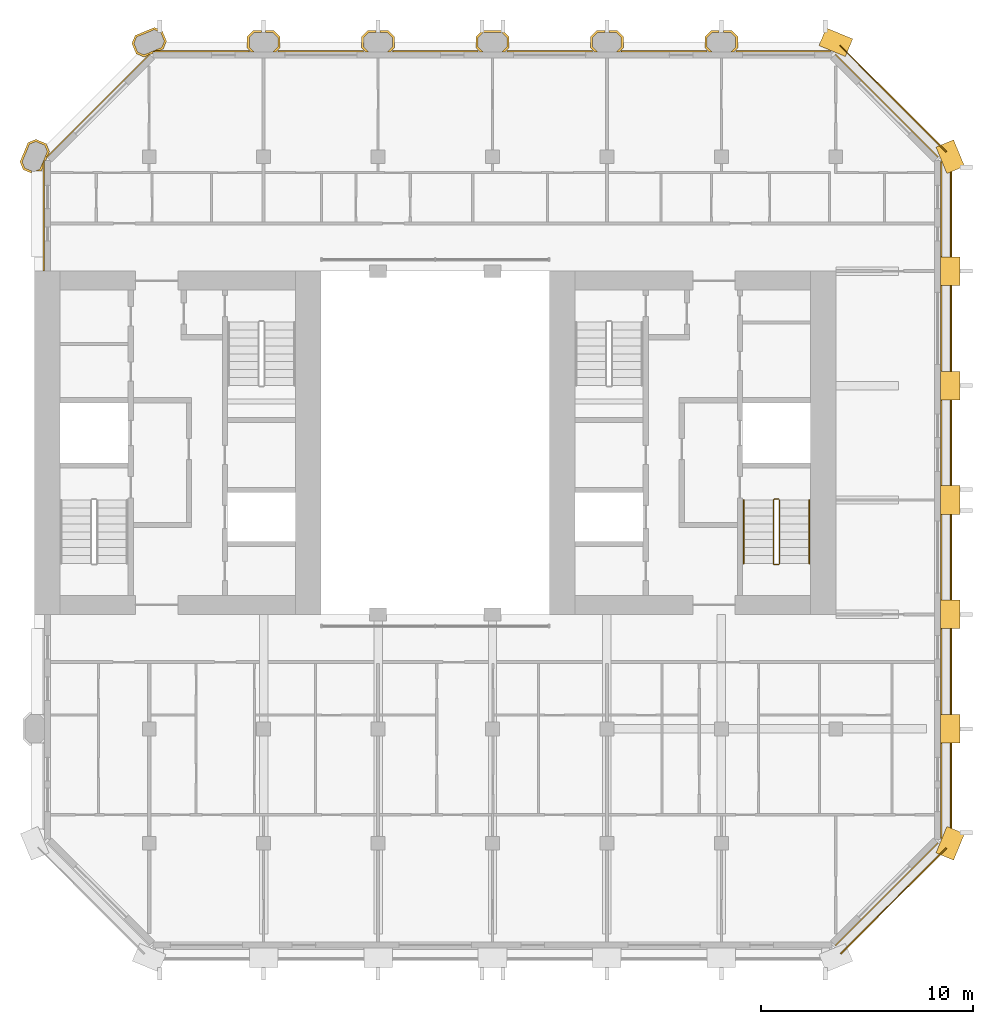
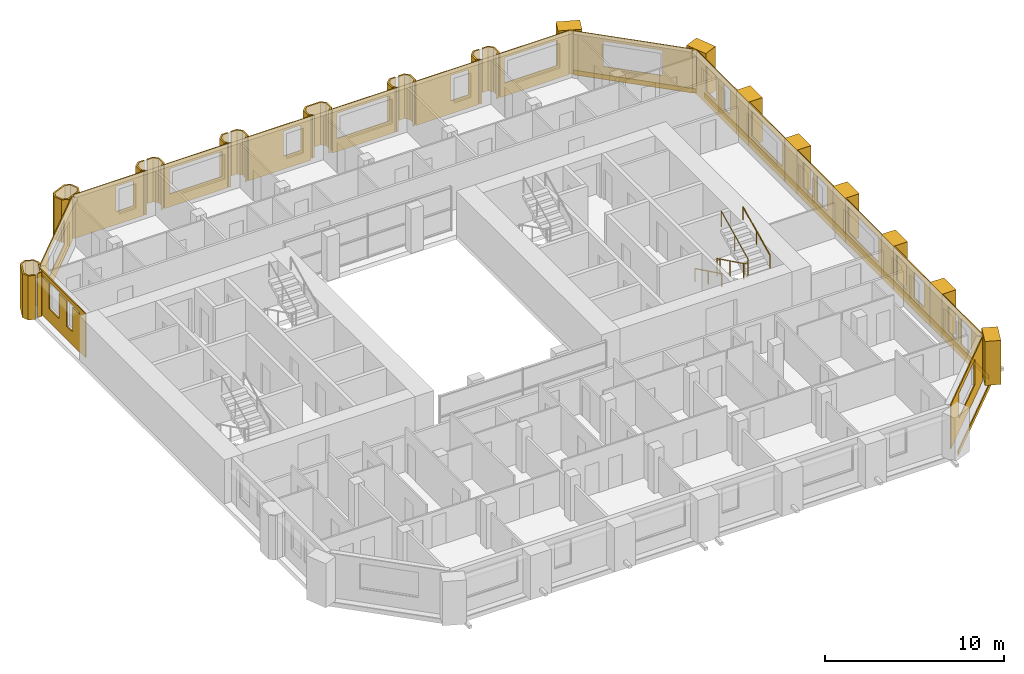
# One storey, part 13 of 13: 38 coverings, 3 railings.
"""IFC4 building model written with IfcOpenShell, lengths in metres."""

from ifc_helpers import new_model, si_unit, direction, frame, frame_2d, origin, origin_2d, place, context, subcontext, project, spatial, polyline, rectangle, circle, outline, extrude, material, layer, layer_set, type_object, element, save


model = new_model("IFC4")

# Units and contexts
model_context = context("Model", 3, precision=1e-05, world=origin(), true_north=direction((0.0, 1.0)))
body_context = subcontext(model_context, "Body", "Model", "MODEL_VIEW")
ifc_project = project(units=[si_unit("LENGTHUNIT", "METRE"), si_unit("AREAUNIT", "SQUARE_METRE"), si_unit("VOLUMEUNIT", "CUBIC_METRE"), si_unit("PLANEANGLEUNIT", "RADIAN"), si_unit("MASSUNIT", "GRAM", prefix="KILO")], contexts=[model_context])

# Site, building, storey
site_placement = place(None, origin())
site = spatial("IfcSite", under=ifc_project, at=site_placement, CompositionType="ELEMENT")
building_placement = place(site_placement, origin())
building = spatial("IfcBuilding", under=site, at=building_placement, Name="Tabaq Tower and Sports Hall", CompositionType="ELEMENT")
storey_placement = place(building_placement, frame((0.0, 0.0, 271.89990234375)))
storey = spatial("IfcBuildingStorey", under=building, at=storey_placement, Name="L66", CompositionType="ELEMENT", Elevation=271.89990234375)

# Coverings
ifc_material_1 = material(Name="Precast concrete C60/75", Category="concrete")
ifc_layer_1 = layer(ifc_material_1, 0.10009765625)
ifc_layer_set_1 = layer_set([ifc_layer_1], Name="Column cladding 100")
covering_type_1 = type_object("IfcCoveringType", Name="Column cladding 100", PredefinedType="CLADDING", material=ifc_layer_set_1)
covering_1_placement = place(storey_placement, origin())
element("IfcCovering", 1, at=covering_1_placement, inside=storey, type_object=covering_type_1, Name="Column cladding L66 PC-2H-R1", PredefinedType="CLADDING", context=body_context, shape_type="SweptSolid", body=[
    extrude(outline(polyline([(4.857421875, 37.186279296875), (4.7041015625, 37.556396484375), (5.080078125, 38.46435546875), (5.450439453125, 38.61767578125), (5.9423828125, 38.413818359375), (6.095947265625, 38.04345703125), (6.026123046875, 37.875), (5.9501953125, 37.799072265625), (5.9814453125, 37.767578125), (5.91796875, 37.614013671875), (5.849609375, 37.614013671875), (5.849609375, 37.55712890625), (5.789794921875, 37.55712890625), (5.789794921875, 37.304443359375), (5.7197265625, 37.1357421875), (5.694580078125, 37.125244140625), (5.434814453125, 37.125244140625), (5.643798828125, 37.2119140625), (5.98828125, 38.04345703125), (5.866455078125, 38.337646484375), (5.450439453125, 38.510009765625), (5.15625, 38.38818359375), (4.811767578125, 37.556396484375), (4.93359375, 37.26220703125), (5.26416015625, 37.125244140625), (5.249755859375, 37.125244140625), (5.249755859375, 37.023681640625), (4.857421875, 37.186279296875)])), origin(), (0.0, 0.0, 1.0), 3.0),
])
covering_2_placement = place(storey_placement, frame((0.0, 0.0, 0.10009765625)))
element("IfcCovering", 2, at=covering_2_placement, inside=storey, type_object=covering_type_1, Name="Column cladding L66 PC-3I-R1", PredefinedType="CLADDING", context=body_context, shape_type="SweptSolid", body=[
    extrude(outline(polyline([(9.982421875, 43.149658203125), (10.1357421875, 43.519775390625), (11.04345703125, 43.895751953125), (11.413818359375, 43.742431640625), (11.61767578125, 43.25048828125), (11.46435546875, 42.880126953125), (11.295654296875, 42.810302734375), (11.04296875, 42.810302734375), (11.04296875, 42.750244140625), (10.986083984375, 42.750244140625), (10.986083984375, 42.68212890625), (10.83251953125, 42.618408203125), (10.801025390625, 42.64990234375), (10.72509765625, 42.573974609375), (10.556396484375, 42.504150390625), (10.186279296875, 42.657470703125), (9.982421875, 43.149658203125)]), holes=[polyline([(11.510009765625, 43.25048828125), (11.337646484375, 43.66650390625), (11.04345703125, 43.788330078125), (10.2119140625, 43.44384765625), (10.08984375, 43.149658203125), (10.26220703125, 42.733642578125), (10.556396484375, 42.61181640625), (11.38818359375, 42.956298828125), (11.510009765625, 43.25048828125)])]), origin(), (0.0, 0.0, 1.0), 2.89990234375),
])
covering_3_placement = place(storey_placement, origin())
element("IfcCovering", 3, at=covering_3_placement, inside=storey, type_object=covering_type_1, Name="Column cladding L66 PC-4I-R1", PredefinedType="CLADDING", context=body_context, shape_type="SweptSolid", body=[
    extrude(outline(polyline([(16.69140625, 43.749755859375), (16.974609375, 43.46630859375), (16.974609375, 42.93359375), (16.791259765625, 42.750244140625), (16.650634765625, 42.750244140625), (16.875244140625, 42.974853515625), (16.875244140625, 43.425048828125), (16.650146484375, 43.650390625), (16.30029296875, 43.650390625), (16.30029296875, 43.749755859375), (16.69140625, 43.749755859375)])), origin(), (0.0, 0.0, 1.0), 3.0),
])
covering_4_placement = place(storey_placement, origin())
element("IfcCovering", 4, at=covering_4_placement, inside=storey, type_object=covering_type_1, Name="Column cladding L66 PC-4I-R1 2", PredefinedType="CLADDING", context=body_context, shape_type="SweptSolid", body=[
    extrude(outline(polyline([(15.42529296875, 43.46630859375), (15.708740234375, 43.749755859375), (16.099609375, 43.749755859375), (16.099609375, 43.650390625), (15.749755859375, 43.650390625), (15.524658203125, 43.425048828125), (15.524658203125, 42.974853515625), (15.749267578125, 42.750244140625), (15.608642578125, 42.750244140625), (15.42529296875, 42.93359375), (15.42529296875, 43.46630859375)])), origin(), (0.0, 0.0, 1.0), 3.0),
])
covering_5_placement = place(storey_placement, origin())
element("IfcCovering", 5, at=covering_5_placement, inside=storey, type_object=covering_type_1, Name="Column cladding L66 PC-5I-R1", PredefinedType="CLADDING", context=body_context, shape_type="SweptSolid", body=[
    extrude(outline(polyline([(22.09130859375, 43.749755859375), (22.374755859375, 43.46630859375), (22.374755859375, 42.93359375), (22.19140625, 42.750244140625), (22.05078125, 42.750244140625), (22.275390625, 42.974853515625), (22.275390625, 43.425048828125), (22.050048828125, 43.650390625), (21.7001953125, 43.650390625), (21.7001953125, 43.749755859375), (22.09130859375, 43.749755859375)])), origin(), (0.0, 0.0, 1.0), 3.0),
])
covering_6_placement = place(storey_placement, origin())
element("IfcCovering", 6, at=covering_6_placement, inside=storey, type_object=covering_type_1, Name="Column cladding L66 PC-5I-R1 2", PredefinedType="CLADDING", context=body_context, shape_type="SweptSolid", body=[
    extrude(outline(polyline([(20.8251953125, 43.46630859375), (21.108642578125, 43.749755859375), (21.499755859375, 43.749755859375), (21.499755859375, 43.650390625), (21.14990234375, 43.650390625), (20.9248046875, 43.425048828125), (20.9248046875, 42.974853515625), (21.149169921875, 42.750244140625), (21.0087890625, 42.750244140625), (20.8251953125, 42.93359375), (20.8251953125, 43.46630859375)])), origin(), (0.0, 0.0, 1.0), 3.0),
])
covering_7_placement = place(storey_placement, frame((0.0, 0.0, 0.10009765625)))
element("IfcCovering", 7, at=covering_7_placement, inside=storey, type_object=covering_type_1, Name="Column cladding L66 PC-6I-R1", PredefinedType="CLADDING", context=body_context, shape_type="SweptSolid", body=[
    extrude(outline(polyline([(26.225341796875, 43.46630859375), (26.5087890625, 43.749755859375), (27.4912109375, 43.749755859375), (27.774658203125, 43.46630859375), (27.774658203125, 42.93359375), (27.59130859375, 42.750244140625), (27.45068359375, 42.750244140625), (27.67529296875, 42.974853515625), (27.67529296875, 43.425048828125), (27.4501953125, 43.650390625), (26.5498046875, 43.650390625), (26.32470703125, 43.425048828125), (26.32470703125, 42.974853515625), (26.54931640625, 42.750244140625), (26.40869140625, 42.750244140625), (26.225341796875, 42.93359375), (26.225341796875, 43.46630859375)])), origin(), (0.0, 0.0, 1.0), 2.89990234375),
])
covering_8_placement = place(storey_placement, origin())
element("IfcCovering", 8, at=covering_8_placement, inside=storey, type_object=covering_type_1, Name="Column cladding L66 PC-7I-R1", PredefinedType="CLADDING", context=body_context, shape_type="SweptSolid", body=[
    extrude(outline(polyline([(31.625244140625, 43.46630859375), (31.90869140625, 43.749755859375), (32.2998046875, 43.749755859375), (32.2998046875, 43.650390625), (31.949951171875, 43.650390625), (31.724609375, 43.425048828125), (31.724609375, 42.974853515625), (31.94921875, 42.750244140625), (31.80859375, 42.750244140625), (31.625244140625, 42.93359375), (31.625244140625, 43.46630859375)])), origin(), (0.0, 0.0, 1.0), 3.0),
])
covering_9_placement = place(storey_placement, origin())
element("IfcCovering", 9, at=covering_9_placement, inside=storey, type_object=covering_type_1, Name="Column cladding L66 PC-7I-R1 2", PredefinedType="CLADDING", context=body_context, shape_type="SweptSolid", body=[
    extrude(outline(polyline([(32.891357421875, 43.749755859375), (33.1748046875, 43.46630859375), (33.1748046875, 42.93359375), (32.9912109375, 42.750244140625), (32.850830078125, 42.750244140625), (33.0751953125, 42.974853515625), (33.0751953125, 43.425048828125), (32.85009765625, 43.650390625), (32.500244140625, 43.650390625), (32.500244140625, 43.749755859375), (32.891357421875, 43.749755859375)])), origin(), (0.0, 0.0, 1.0), 3.0),
])
covering_10_placement = place(storey_placement, origin())
element("IfcCovering", 10, at=covering_10_placement, inside=storey, type_object=covering_type_1, Name="Column cladding L66 PC-8I-R1", PredefinedType="CLADDING", context=body_context, shape_type="SweptSolid", body=[
    extrude(outline(polyline([(37.025390625, 43.46630859375), (37.30859375, 43.749755859375), (37.69970703125, 43.749755859375), (37.69970703125, 43.650390625), (37.349853515625, 43.650390625), (37.124755859375, 43.425048828125), (37.124755859375, 42.974853515625), (37.349365234375, 42.750244140625), (37.208740234375, 42.750244140625), (37.025390625, 42.93359375), (37.025390625, 43.46630859375)])), origin(), (0.0, 0.0, 1.0), 3.0),
])
covering_11_placement = place(storey_placement, origin())
element("IfcCovering", 11, at=covering_11_placement, inside=storey, type_object=covering_type_1, Name="Column cladding L66 PC-8I-R1 2", PredefinedType="CLADDING", context=body_context, shape_type="SweptSolid", body=[
    extrude(outline(polyline([(38.291259765625, 43.749755859375), (38.57470703125, 43.46630859375), (38.57470703125, 42.93359375), (38.391357421875, 42.750244140625), (38.250732421875, 42.750244140625), (38.475341796875, 42.974853515625), (38.475341796875, 43.425048828125), (38.250244140625, 43.650390625), (37.900390625, 43.650390625), (37.900390625, 43.749755859375), (38.291259765625, 43.749755859375)])), origin(), (0.0, 0.0, 1.0), 3.0),
])
ifc_material_2 = material(Name="Precast concrete C60/75", Category="concrete")
ifc_layer_2 = layer(ifc_material_2, 0.06005859375)
ifc_layer_set_2 = layer_set([ifc_layer_2], Name="Edge beam cladding 60")
covering_type_2 = type_object("IfcCoveringType", Name="Edge beam cladding 60", PredefinedType="CLADDING", material=ifc_layer_set_2)
covering_12_placement = place(storey_placement, frame((43.432373046875, 0.18994140625, -0.2998046875), z_axis=(0.0, 0.0, 1.0), x_axis=(0.707106781187, 0.707106781187, 0.0)))
element("IfcCovering", 12, at=covering_12_placement, inside=storey, type_object=covering_type_2, Name="Edge beam cladding L66 2", PredefinedType="CLADDING", context=body_context, shape_type="SweptSolid", body=[
    extrude(rectangle(XDim=7.03955078125, YDim=0.06005859375, at=frame_2d((3.519775390625, 0.0))), origin(), (0.0, 0.0, 1.0), 0.2998046875),
])
covering_13_placement = place(storey_placement, frame((48.6298828125, 5.698486328125, -0.2998046875), z_axis=(0.0, 0.0, 1.0), x_axis=(0.0, 1.0, 0.0)))
element("IfcCovering", 13, at=covering_13_placement, inside=storey, type_object=covering_type_2, Name="Edge beam cladding L66 3", PredefinedType="CLADDING", context=body_context, shape_type="SweptSolid", body=[
    extrude(rectangle(XDim=31.802978515625, YDim=0.06005859375, at=frame_2d((15.9013671875, 0.0))), origin(), (0.0, 0.0, 1.0), 0.2998046875),
])
covering_14_placement = place(storey_placement, frame((48.41015625, 38.0322265625, -0.2998046875), z_axis=(0.0, 0.0, 1.0), x_axis=(-0.707106781187, 0.707106781187, 0.0)))
element("IfcCovering", 14, at=covering_14_placement, inside=storey, type_object=covering_type_2, Name="Edge beam cladding L66 4", PredefinedType="CLADDING", context=body_context, shape_type="SweptSolid", body=[
    extrude(rectangle(XDim=7.08837890625, YDim=0.06005859375, at=frame_2d((3.544189453125, 0.0))), origin(), (0.0, 0.0, 1.0), 0.2998046875),
])
ifc_material_3 = material(Name="White precast concrete C60/75", Category="concrete")
covering_type_3 = type_object("IfcCoveringType", Name="Pier cladding hung 1350x900", PredefinedType="CLADDING", material=ifc_material_3)
for number, where, z_axis, x_axis, name in (
    (15, (43.82373046875, 42.941650390625, 0.0), (0.0, 0.0, 1.0), (-0.923893411637, 0.382649923473, 0.0), "Hung pier cladding 8/8"),
    (16, (48.341796875, 4.7763671875, 0.0), (0.0, 0.0, 1.0), (0.382649923473, 0.923893411637, 0.0), "Hung pier cladding 9/1"),
    (17, (48.60009765625, 10.125, 0.0), (0.0, 0.0, 1.0), (0.0, 1.0, 0.0), "Hung pier cladding 9/2"),
    (18, (48.60009765625, 15.52490234375, 0.0), (0.0, 0.0, 1.0), (0.0, 1.0, 0.0), "Hung pier cladding 9/3"),
):
    element("IfcCovering", number, at=place(storey_placement, frame(where, z_axis=z_axis, x_axis=x_axis)), inside=storey, type_object=covering_type_3, Name=name, PredefinedType="CLADDING", context=body_context, shape_type="SweptSolid", body=[
        extrude(rectangle(XDim=1.35009765625, YDim=0.89990234375, at=frame_2d((0.675048828125, 0.0))), origin(), (0.0, 0.0, 1.0), 3.0),
    ])
covering_15_placement = place(storey_placement, frame((48.60009765625, 20.925048828125, 0.0), z_axis=(0.0, 0.0, 1.0), x_axis=(0.0, 1.0, 0.0)))
element("IfcCovering", 19, at=covering_15_placement, inside=storey, type_object=covering_type_3, Name="Hung pier cladding 9/4", PredefinedType="CLADDING", context=body_context, shape_type="SweptSolid", body=[
    extrude(rectangle(XDim=1.349853515625, YDim=0.89990234375, at=frame_2d((0.6748046875, 0.0))), origin(), (0.0, 0.0, 1.0), 3.0),
])
covering_16_placement = place(storey_placement, frame((48.60009765625, 26.324951171875, 0.0), z_axis=(0.0, 0.0, 1.0), x_axis=(0.0, 1.0, 0.0)))
element("IfcCovering", 20, at=covering_16_placement, inside=storey, type_object=covering_type_3, Name="Hung pier cladding 9/5", PredefinedType="CLADDING", context=body_context, shape_type="SweptSolid", body=[
    extrude(rectangle(XDim=1.35009765625, YDim=0.89990234375, at=frame_2d((0.675048828125, 0.0))), origin(), (0.0, 0.0, 1.0), 3.0),
])
covering_17_placement = place(storey_placement, frame((48.60009765625, 31.72509765625, 0.0), z_axis=(0.0, 0.0, 1.0), x_axis=(0.0, 1.0, 0.0)))
element("IfcCovering", 21, at=covering_17_placement, inside=storey, type_object=covering_type_3, Name="Hung pier cladding 9/6", PredefinedType="CLADDING", context=body_context, shape_type="SweptSolid", body=[
    extrude(rectangle(XDim=1.349853515625, YDim=0.89990234375, at=frame_2d((0.6748046875, 0.0))), origin(), (0.0, 0.0, 1.0), 3.0),
])
covering_18_placement = place(storey_placement, frame((48.8583984375, 37.17626953125, 0.0), z_axis=(0.0, 0.0, 1.0), x_axis=(-0.382649923473, 0.923893411637, 0.0)))
element("IfcCovering", 22, at=covering_18_placement, inside=storey, type_object=covering_type_3, Name="Hung pier cladding 9/7", PredefinedType="CLADDING", context=body_context, shape_type="SweptSolid", body=[
    extrude(rectangle(XDim=1.35009765625, YDim=0.89990234375, at=frame_2d((0.675048828125, 0.0))), origin(), (0.0, 0.0, 1.0), 3.0),
])

# Railings
ifc_material_4 = material(Name="Stainless steel", Category="steel")
railing_type_1 = type_object("IfcRailingType", Name="Stair guard", PredefinedType="GUARDRAIL", material=ifc_material_4)
railing_1_placement = place(storey_placement, frame((40.5, 21.64990234375, 0.0)))
element("IfcRailing", 23, at=railing_1_placement, inside=storey, type_object=railing_type_1, Name="L66 ST3 stair guard 1", PredefinedType="GUARDRAIL", context=body_context, shape_type="SweptSolid", body=[
    extrude(circle(Radius=0.02392578125, at=origin_2d()), frame((0.0, 0.0, 1.076171875), z_axis=(-1.0, 0.0, 0.0), x_axis=(0.0, -1.0, 0.0)), (0.0, 0.0, 1.0), 0.199951171875),
    extrude(circle(Radius=0.02392578125, at=origin_2d()), frame((-0.199951171875, 0.0, 1.076171875), z_axis=(-0.254733673405, -0.25349107012, 0.933195066962), x_axis=(0.705375805398, -0.708833529934, 0.0)), (0.0, 0.0, 1.0), 0.196533203125),
    extrude(circle(Radius=0.02392578125, at=origin_2d()), frame((-0.25, -0.0498046875, 1.25927734375), z_axis=(0.0, -0.898368975038, 0.439241601728), x_axis=(1.0, 0.0, 0.0)), (0.0, 0.0, 1.0), 3.33935546875),
    extrude(circle(Radius=0.02392578125, at=origin_2d()), frame((-0.25, -3.0498046875, 2.72607421875), z_axis=(0.707106781187, -0.707106781187, 0.0), x_axis=(0.707106781187, 0.707106781187, 0.0)), (0.0, 0.0, 1.0), 0.07080078125),
    extrude(circle(Radius=0.02392578125, at=origin_2d()), frame((-0.199951171875, -3.099853515625, 2.72607421875), z_axis=(1.0, 0.0, 0.0), x_axis=(0.0, 1.0, 0.0)), (0.0, 0.0, 1.0), 0.199951171875),
    extrude(circle(Radius=0.02392578125, at=origin_2d()), frame((0.0, -3.099853515625, 2.72607421875), z_axis=(0.254653276557, 0.254653276557, 0.932900539971), x_axis=(-0.707106781187, 0.707106781187, 0.0)), (0.0, 0.0, 1.0), 0.196533203125),
    extrude(circle(Radius=0.02392578125, at=origin_2d()), frame((0.050048828125, -3.0498046875, 2.90966796875), z_axis=(0.0, 0.898397823093, 0.439182594671), x_axis=(-1.0, 0.0, 0.0)), (0.0, 0.0, 1.0), 3.33935546875),
    extrude(circle(Radius=0.02099609375, at=origin_2d()), origin(), (0.0, 0.0, 1.0), 1.052001953125),
    extrude(circle(Radius=0.02099609375, at=origin_2d()), frame((-0.199951171875, 0.0, 0.0)), (0.0, 0.0, 1.0), 1.052001953125),
    extrude(circle(Radius=0.02099609375, at=origin_2d()), frame((-0.25, -0.0498046875, 0.183349609375)), (0.0, 0.0, 1.0), 1.052001953125),
    extrude(circle(Radius=0.02099609375, at=origin_2d()), frame((-0.25, -1.5498046875, 0.916748046875)), (0.0, 0.0, 1.0), 1.052001953125),
    extrude(circle(Radius=0.02099609375, at=origin_2d()), frame((-0.25, -3.0498046875, 1.650146484375)), (0.0, 0.0, 1.0), 1.052001953125),
    extrude(circle(Radius=0.02099609375, at=origin_2d()), frame((-0.199951171875, -3.099853515625, 1.650146484375)), (0.0, 0.0, 1.0), 1.052001953125),
    extrude(circle(Radius=0.02099609375, at=origin_2d()), frame((0.0, -3.099853515625, 1.650146484375)), (0.0, 0.0, 1.0), 1.052001953125),
    extrude(circle(Radius=0.02099609375, at=origin_2d()), frame((0.050048828125, -3.0498046875, 1.83349609375)), (0.0, 0.0, 1.0), 1.052001953125),
    extrude(circle(Radius=0.02099609375, at=origin_2d()), frame((0.050048828125, -1.5498046875, 2.56689453125)), (0.0, 0.0, 1.0), 1.052001953125),
    extrude(circle(Radius=0.02099609375, at=origin_2d()), frame((0.050048828125, -0.0498046875, 3.300048828125)), (0.0, 0.0, 1.0), 1.052001953125),
])
ifc_material_5 = material(Name="Stainless steel", Category="steel")
railing_type_2 = type_object("IfcRailingType", Name="Stair handrail", PredefinedType="HANDRAIL", material=ifc_material_5)
railing_2_placement = place(storey_placement, frame((38.85009765625, 21.60009765625, 0.183349609375)))
element("IfcRailing", 24, at=railing_2_placement, inside=storey, type_object=railing_type_2, Name="L66 ST3 stair handrail 1", PredefinedType="HANDRAIL", context=body_context, shape_type="SweptSolid", body=[
    extrude(circle(Radius=0.02392578125, at=origin_2d()), frame((0.0, 0.0, 0.8759765625), z_axis=(0.0, -0.898368975038, 0.439241601728), x_axis=(1.0, 0.0, 0.0)), (0.0, 0.0, 1.0), 3.33935546875),
    extrude(circle(Radius=0.02099609375, at=origin_2d()), origin(), (0.0, 0.0, 1.0), 0.851806640625),
    extrude(circle(Radius=0.02099609375, at=origin_2d()), frame((0.0, -1.5, 0.7333984375)), (0.0, 0.0, 1.0), 0.851806640625),
    extrude(circle(Radius=0.02099609375, at=origin_2d()), frame((0.0, -3.0, 1.466796875)), (0.0, 0.0, 1.0), 0.851806640625),
])
railing_3_placement = place(storey_placement, frame((41.949951171875, 18.60009765625, 1.83349609375)))
element("IfcRailing", 25, at=railing_3_placement, inside=storey, type_object=railing_type_2, Name="L66 ST3 stair handrail 2", PredefinedType="HANDRAIL", context=body_context, shape_type="SweptSolid", body=[
    extrude(circle(Radius=0.02392578125, at=origin_2d()), frame((0.0, 0.0, 0.8759765625), z_axis=(0.0, 0.898397823093, 0.439182594671), x_axis=(-1.0, 0.0, 0.0)), (0.0, 0.0, 1.0), 3.33935546875),
    extrude(circle(Radius=0.02099609375, at=origin_2d()), origin(), (0.0, 0.0, 1.0), 0.851806640625),
    extrude(circle(Radius=0.02099609375, at=origin_2d()), frame((0.0, 1.5, 0.7333984375)), (0.0, 0.0, 1.0), 0.851806640625),
    extrude(circle(Radius=0.02099609375, at=origin_2d()), frame((0.0, 3.0, 1.466552734375)), (0.0, 0.0, 1.0), 0.851806640625),
])

# Coverings
ifc_material_6 = material(Name="Precast concrete C60/75", Category="concrete")
ifc_layer_3 = layer(ifc_material_6, 0.06005859375)
ifc_layer_set_3 = layer_set([ifc_layer_3], Name="White precast cladding panel 60 C60/75")
covering_type_4 = type_object("IfcCoveringType", Name="White precast cladding panel 60 C60/75", PredefinedType="CLADDING", material=ifc_layer_set_3)
covering_19_placement = place(storey_placement, frame((43.177734375, 0.57177734375, 0.0), z_axis=(0.0, 0.0, 1.0), x_axis=(0.707106781187, 0.707106781187, 0.0)))
element("IfcCovering", 26, at=covering_19_placement, inside=storey, type_object=covering_type_4, Name="White precast cladding panel L66 wall01", PredefinedType="CLADDING", context=body_context, shape_type="SweptSolid", body=[
    extrude(outline(polyline([(0.0, 0.0), (6.85986328125, 0.0), (6.85986328125, 3.0), (0.0, 3.0), (0.0, 0.0)]), holes=[polyline([(1.7197265625, 0.89013671875), (1.7197265625, 2.610107421875), (5.139892578125, 2.610107421875), (5.139892578125, 0.89013671875), (1.7197265625, 0.89013671875)])]), frame((0.0, 0.030029296875, 0.0), z_axis=(0.0, -1.0, 0.0), x_axis=(1.0, 0.0, 0.0)), (0.0, 0.0, 1.0), 0.06005859375),
])
covering_20_placement = place(storey_placement, frame((48.179931640625, 5.64306640625, 0.0), z_axis=(0.0, 0.0, 1.0), x_axis=(0.0, 1.0, 0.0)))
element("IfcCovering", 27, at=covering_20_placement, inside=storey, type_object=covering_type_4, Name="White precast cladding panel L66 wall02", PredefinedType="CLADDING", context=body_context, shape_type="SweptSolid", body=[
    extrude(outline(polyline([(0.0, 0.0), (4.471923828125, 0.0), (4.471923828125, 3.0), (0.0, 3.0), (0.0, 0.0)]), holes=[polyline([(1.246826171875, 2.610107421875), (2.366943359375, 2.610107421875), (2.366943359375, 0.89013671875), (1.246826171875, 0.89013671875), (1.246826171875, 2.610107421875)]), polyline([(2.69677734375, 2.610107421875), (3.81689453125, 2.610107421875), (3.81689453125, 0.89013671875), (2.69677734375, 0.89013671875), (2.69677734375, 2.610107421875)])]), frame((0.0, 0.030029296875, 0.0), z_axis=(0.0, -1.0, 0.0), x_axis=(1.0, 0.0, 0.0)), (0.0, 0.0, 1.0), 0.06005859375),
])
covering_21_placement = place(storey_placement, frame((48.179931640625, 11.485107421875, 0.0), z_axis=(0.0, 0.0, 1.0), x_axis=(0.0, 1.0, 0.0)))
element("IfcCovering", 28, at=covering_21_placement, inside=storey, type_object=covering_type_4, Name="White precast cladding panel L66 wall02 2", PredefinedType="CLADDING", context=body_context, shape_type="SweptSolid", body=[
    extrude(outline(polyline([(0.0, 0.0), (4.02978515625, 0.0), (4.02978515625, 3.0), (0.0, 3.0), (0.0, 0.0)]), holes=[polyline([(0.655029296875, 2.610107421875), (1.77490234375, 2.610107421875), (1.77490234375, 0.89013671875), (0.655029296875, 0.89013671875), (0.655029296875, 2.610107421875)]), polyline([(2.60498046875, 2.610107421875), (3.72509765625, 2.610107421875), (3.72509765625, 0.89013671875), (2.60498046875, 0.89013671875), (2.60498046875, 2.610107421875)])]), frame((0.0, 0.030029296875, 0.0), z_axis=(0.0, -1.0, 0.0), x_axis=(1.0, 0.0, 0.0)), (0.0, 0.0, 1.0), 0.06005859375),
])
covering_22_placement = place(storey_placement, frame((48.179931640625, 16.885009765625, 0.0), z_axis=(0.0, 0.0, 1.0), x_axis=(0.0, 1.0, 0.0)))
element("IfcCovering", 29, at=covering_22_placement, inside=storey, type_object=covering_type_4, Name="White precast cladding panel L66 wall02 3", PredefinedType="CLADDING", context=body_context, shape_type="SweptSolid", body=[
    extrude(outline(polyline([(0.0, 0.0), (4.030029296875, 0.0), (4.030029296875, 3.0), (0.0, 3.0), (0.0, 0.0)]), holes=[polyline([(0.304931640625, 0.89013671875), (0.304931640625, 2.610107421875), (3.72509765625, 2.610107421875), (3.72509765625, 0.89013671875), (0.304931640625, 0.89013671875)])]), frame((0.0, 0.030029296875, 0.0), z_axis=(0.0, -1.0, 0.0), x_axis=(1.0, 0.0, 0.0)), (0.0, 0.0, 1.0), 0.06005859375),
])
covering_23_placement = place(storey_placement, frame((48.179931640625, 22.284912109375, 0.0), z_axis=(0.0, 0.0, 1.0), x_axis=(0.0, 1.0, 0.0)))
element("IfcCovering", 30, at=covering_23_placement, inside=storey, type_object=covering_type_4, Name="White precast cladding panel L66 wall02 4", PredefinedType="CLADDING", context=body_context, shape_type="SweptSolid", body=[
    extrude(outline(polyline([(0.0, 0.0), (4.030029296875, 0.0), (4.030029296875, 3.0), (0.0, 3.0), (0.0, 0.0)]), holes=[polyline([(0.655029296875, 2.610107421875), (1.77490234375, 2.610107421875), (1.77490234375, 0.89013671875), (0.655029296875, 0.89013671875), (0.655029296875, 2.610107421875)]), polyline([(2.2548828125, 2.610107421875), (3.375, 2.610107421875), (3.375, 0.89013671875), (2.2548828125, 0.89013671875), (2.2548828125, 2.610107421875)])]), frame((0.0, 0.030029296875, 0.0), z_axis=(0.0, -1.0, 0.0), x_axis=(1.0, 0.0, 0.0)), (0.0, 0.0, 1.0), 0.06005859375),
])
covering_24_placement = place(storey_placement, frame((48.179931640625, 27.68505859375, 0.0), z_axis=(0.0, 0.0, 1.0), x_axis=(0.0, 1.0, 0.0)))
element("IfcCovering", 31, at=covering_24_placement, inside=storey, type_object=covering_type_4, Name="White precast cladding panel L66 wall02 5", PredefinedType="CLADDING", context=body_context, shape_type="SweptSolid", body=[
    extrude(outline(polyline([(0.0, 0.0), (4.030029296875, 0.0), (4.030029296875, 3.0), (0.0, 3.0), (0.0, 0.0)]), holes=[polyline([(0.304931640625, 0.89013671875), (0.304931640625, 2.610107421875), (3.72509765625, 2.610107421875), (3.72509765625, 0.89013671875), (0.304931640625, 0.89013671875)])]), frame((0.0, 0.030029296875, 0.0), z_axis=(0.0, -1.0, 0.0), x_axis=(1.0, 0.0, 0.0)), (0.0, 0.0, 1.0), 0.06005859375),
])
covering_25_placement = place(storey_placement, frame((48.179931640625, 33.0849609375, 0.0), z_axis=(0.0, 0.0, 1.0), x_axis=(0.0, 1.0, 0.0)))
element("IfcCovering", 32, at=covering_25_placement, inside=storey, type_object=covering_type_4, Name="White precast cladding panel L66 wall02 6", PredefinedType="CLADDING", context=body_context, shape_type="SweptSolid", body=[
    extrude(outline(polyline([(0.0, 0.0), (4.471923828125, 0.0), (4.471923828125, 3.0), (0.0, 3.0), (0.0, 0.0)]), holes=[polyline([(0.72998046875, 2.610107421875), (1.39990234375, 2.610107421875), (1.39990234375, 0.89013671875), (0.72998046875, 0.89013671875), (0.72998046875, 2.610107421875)]), polyline([(2.2548828125, 2.610107421875), (3.375, 2.610107421875), (3.375, 0.89013671875), (2.2548828125, 0.89013671875), (2.2548828125, 2.610107421875)])]), frame((0.0, 0.030029296875, 0.0), z_axis=(0.0, -1.0, 0.0), x_axis=(1.0, 0.0, 0.0)), (0.0, 0.0, 1.0), 0.06005859375),
])
covering_26_placement = place(storey_placement, frame((48.0283203125, 37.77783203125, 0.0), z_axis=(0.0, 0.0, 1.0), x_axis=(-0.707124576528, 0.707088985397, 0.0)))
element("IfcCovering", 33, at=covering_26_placement, inside=storey, type_object=covering_type_4, Name="White precast cladding panel L66 wall03", PredefinedType="CLADDING", context=body_context, shape_type="SweptSolid", body=[
    extrude(outline(polyline([(0.0, 0.0), (6.859619140625, 0.0), (6.859619140625, 3.0), (0.0, 3.0), (0.0, 0.0)]), holes=[polyline([(1.7197265625, 0.89013671875), (1.7197265625, 2.610107421875), (5.139892578125, 2.610107421875), (5.139892578125, 0.89013671875), (1.7197265625, 0.89013671875)])]), frame((0.0, 0.030029296875, 0.0), z_axis=(0.0, -1.0, 0.0), x_axis=(1.0, 0.0, 0.0)), (0.0, 0.0, 1.0), 0.06005859375),
])
covering_27_placement = place(storey_placement, frame((42.956787109375, 42.780029296875, 0.0), z_axis=(0.0, 0.0, 1.0), x_axis=(-1.0, 0.0, 0.0)))
element("IfcCovering", 34, at=covering_27_placement, inside=storey, type_object=covering_type_4, Name="White precast cladding panel L66 wall04", PredefinedType="CLADDING", context=body_context, shape_type="SweptSolid", body=[
    extrude(outline(polyline([(0.0, 0.0), (4.4716796875, 0.0), (4.4716796875, 3.0), (0.0, 3.0), (0.0, 0.0)]), holes=[polyline([(0.746826171875, 0.89013671875), (0.746826171875, 2.610107421875), (4.166748046875, 2.610107421875), (4.166748046875, 0.89013671875), (0.746826171875, 0.89013671875)])]), frame((0.0, 0.030029296875, 0.0), z_axis=(0.0, -1.0, 0.0), x_axis=(1.0, 0.0, 0.0)), (0.0, 0.0, 1.0), 0.06005859375),
])
covering_28_placement = place(storey_placement, frame((37.114990234375, 42.780029296875, 0.0), z_axis=(0.0, 0.0, 1.0), x_axis=(-1.0, 0.0, 0.0)))
element("IfcCovering", 35, at=covering_28_placement, inside=storey, type_object=covering_type_4, Name="White precast cladding panel L66 wall04 2", PredefinedType="CLADDING", context=body_context, shape_type="SweptSolid", body=[
    extrude(outline(polyline([(0.0, 0.0), (4.030029296875, 0.0), (4.030029296875, 3.0), (0.0, 3.0), (0.0, 0.0)]), holes=[polyline([(0.655029296875, 0.89013671875), (0.655029296875, 2.610107421875), (1.77490234375, 2.610107421875), (1.77490234375, 0.89013671875), (0.655029296875, 0.89013671875)])]), frame((0.0, 0.030029296875, 0.0), z_axis=(0.0, -1.0, 0.0), x_axis=(1.0, 0.0, 0.0)), (0.0, 0.0, 1.0), 0.06005859375),
])
covering_29_placement = place(storey_placement, frame((31.715087890625, 42.780029296875, 0.0), z_axis=(0.0, 0.0, 1.0), x_axis=(-1.0, 0.0, 0.0)))
element("IfcCovering", 36, at=covering_29_placement, inside=storey, type_object=covering_type_4, Name="White precast cladding panel L66 wall04 3", PredefinedType="CLADDING", context=body_context, shape_type="SweptSolid", body=[
    extrude(outline(polyline([(0.0, 0.0), (4.030029296875, 0.0), (4.030029296875, 3.0), (0.0, 3.0), (0.0, 0.0)]), holes=[polyline([(0.304931640625, 0.89013671875), (0.304931640625, 2.610107421875), (3.72509765625, 2.610107421875), (3.72509765625, 0.89013671875), (0.304931640625, 0.89013671875)])]), frame((0.0, 0.030029296875, 0.0), z_axis=(0.0, -1.0, 0.0), x_axis=(1.0, 0.0, 0.0)), (0.0, 0.0, 1.0), 0.06005859375),
])
covering_30_placement = place(storey_placement, frame((26.31494140625, 42.780029296875, 0.0), z_axis=(0.0, 0.0, 1.0), x_axis=(-1.0, 0.0, 0.0)))
element("IfcCovering", 37, at=covering_30_placement, inside=storey, type_object=covering_type_4, Name="White precast cladding panel L66 wall04 4", PredefinedType="CLADDING", context=body_context, shape_type="SweptSolid", body=[
    extrude(outline(polyline([(0.0, 0.0), (4.030029296875, 0.0), (4.030029296875, 3.0), (0.0, 3.0), (0.0, 0.0)]), holes=[polyline([(0.655029296875, 0.89013671875), (0.655029296875, 2.610107421875), (1.77490234375, 2.610107421875), (1.77490234375, 0.89013671875), (0.655029296875, 0.89013671875)])]), frame((0.0, 0.030029296875, 0.0), z_axis=(0.0, -1.0, 0.0), x_axis=(1.0, 0.0, 0.0)), (0.0, 0.0, 1.0), 0.06005859375),
])
covering_31_placement = place(storey_placement, frame((20.9150390625, 42.780029296875, 0.0), z_axis=(0.0, 0.0, 1.0), x_axis=(-1.0, 0.0, 0.0)))
element("IfcCovering", 38, at=covering_31_placement, inside=storey, type_object=covering_type_4, Name="White precast cladding panel L66 wall04 5", PredefinedType="CLADDING", context=body_context, shape_type="SweptSolid", body=[
    extrude(outline(polyline([(0.0, 0.0), (4.030029296875, 0.0), (4.030029296875, 3.0), (0.0, 3.0), (0.0, 0.0)]), holes=[polyline([(0.304931640625, 0.89013671875), (0.304931640625, 2.610107421875), (3.72509765625, 2.610107421875), (3.72509765625, 0.89013671875), (0.304931640625, 0.89013671875)])]), frame((0.0, 0.030029296875, 0.0), z_axis=(0.0, -1.0, 0.0), x_axis=(1.0, 0.0, 0.0)), (0.0, 0.0, 1.0), 0.06005859375),
])
covering_32_placement = place(storey_placement, frame((15.514892578125, 42.780029296875, 0.0), z_axis=(0.0, 0.0, 1.0), x_axis=(-1.0, 0.0, 0.0)))
element("IfcCovering", 39, at=covering_32_placement, inside=storey, type_object=covering_type_4, Name="White precast cladding panel L66 wall04 6", PredefinedType="CLADDING", context=body_context, shape_type="SweptSolid", body=[
    extrude(outline(polyline([(0.0, 0.0), (4.4716796875, 0.0), (4.4716796875, 3.0), (0.0, 3.0), (0.0, 0.0)]), holes=[polyline([(0.655029296875, 0.89013671875), (0.655029296875, 2.610107421875), (1.77490234375, 2.610107421875), (1.77490234375, 0.89013671875), (0.655029296875, 0.89013671875)])]), frame((0.0, 0.030029296875, 0.0), z_axis=(0.0, -1.0, 0.0), x_axis=(1.0, 0.0, 0.0)), (0.0, 0.0, 1.0), 0.06005859375),
])
covering_33_placement = place(storey_placement, frame((10.822265625, 42.628173828125, 0.0), z_axis=(0.0, 0.0, 1.0), x_axis=(-0.707124576528, -0.707088985397, 0.0)))
element("IfcCovering", 40, at=covering_33_placement, inside=storey, type_object=covering_type_4, Name="White precast cladding panel L66 wall05", PredefinedType="CLADDING", context=body_context, shape_type="SweptSolid", body=[
    extrude(outline(polyline([(0.0, 0.0), (6.859619140625, 0.0), (6.859619140625, 3.0), (0.0, 3.0), (0.0, 0.0)]), holes=[polyline([(1.7197265625, 0.89013671875), (1.7197265625, 2.610107421875), (5.139892578125, 2.610107421875), (5.139892578125, 0.89013671875), (1.7197265625, 0.89013671875)])]), frame((0.0, 0.030029296875, 0.0), z_axis=(0.0, -1.0, 0.0), x_axis=(1.0, 0.0, 0.0)), (0.0, 0.0, 1.0), 0.06005859375),
])
covering_34_placement = place(storey_placement, frame((5.820068359375, 37.556884765625, 0.0), z_axis=(0.0, 0.0, 1.0), x_axis=(0.0, -1.0, 0.0)))
element("IfcCovering", 41, at=covering_34_placement, inside=storey, type_object=covering_type_4, Name="White precast cladding panel L66 wall06", PredefinedType="CLADDING", context=body_context, shape_type="SweptSolid", body=[
    extrude(outline(polyline([(0.0, 0.0), (5.156982421875, 0.0), (5.156982421875, 3.0), (0.0, 3.0), (0.0, 0.0)]), holes=[polyline([(1.096923828125, 2.590087890625), (0.421875, 2.590087890625), (0.421875, 2.710205078125), (4.491943359375, 2.710205078125), (4.491943359375, 2.590087890625), (3.741943359375, 2.590087890625), (3.741943359375, 0.89013671875), (3.07177734375, 0.89013671875), (3.07177734375, 2.590087890625), (2.216796875, 2.590087890625), (2.216796875, 0.89013671875), (1.096923828125, 0.89013671875), (1.096923828125, 2.590087890625)])]), frame((0.0, 0.030029296875, 0.0), z_axis=(0.0, -1.0, 0.0), x_axis=(1.0, 0.0, 0.0)), (0.0, 0.0, 1.0), 0.06005859375),
])

save(model, "model.ifc")
